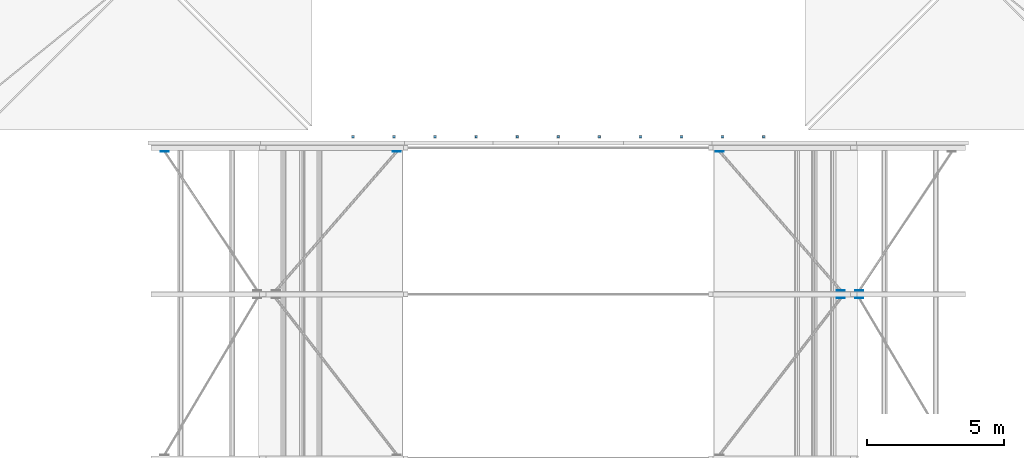
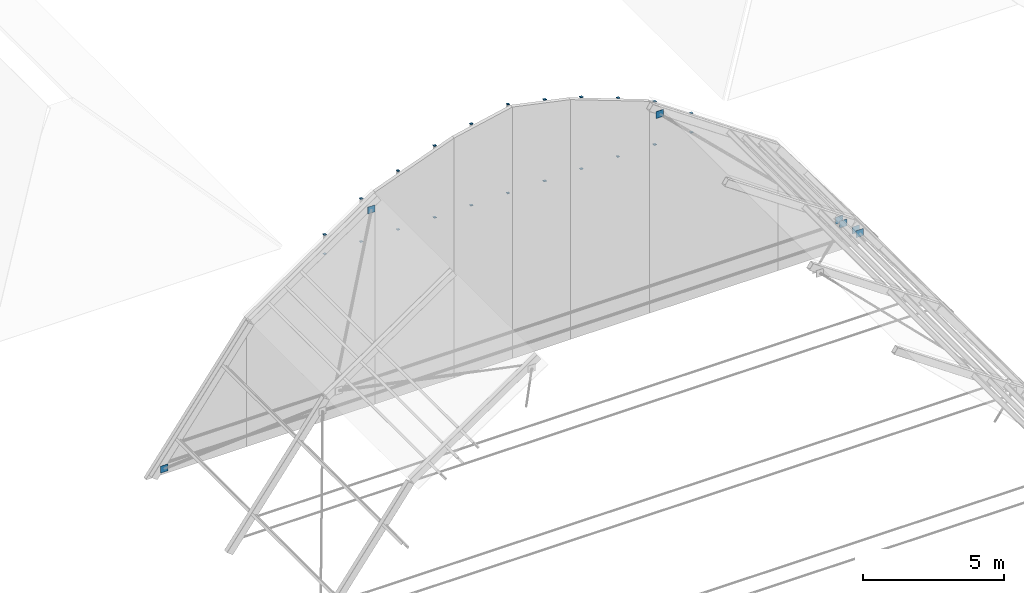
# One storey, part 34 of 43: 29 discrete accessories.
"""IFC4 building model written with IfcOpenShell, lengths in metres."""

from ifc_helpers import new_model, si_unit, direction, frame, origin, origin_2d, place, context, subcontext, project, spatial, rectangle, extrude, material, material_profile, profile_set, type_object, element, save


model = new_model("IFC4")

# Units and contexts
model_context = context("Model", 3, precision=1e-05, world=origin(), true_north=direction((0.0, 1.0)))
body_context = subcontext(model_context, "Body", "Model", "MODEL_VIEW")
ifc_project = project(units=[si_unit("LENGTHUNIT", "METRE"), si_unit("AREAUNIT", "SQUARE_METRE"), si_unit("VOLUMEUNIT", "CUBIC_METRE"), si_unit("PLANEANGLEUNIT", "RADIAN"), si_unit("MASSUNIT", "GRAM", prefix="KILO")], contexts=[model_context])

# Site, building, storey
site_placement = place(None, origin())
site = spatial("IfcSite", under=ifc_project, at=site_placement, CompositionType="ELEMENT")
building_placement = place(site_placement, origin())
building = spatial("IfcBuilding", under=site, at=building_placement, Name="Saffron Lane Theatres", CompositionType="ELEMENT")
storey_placement = place(building_placement, frame((0.0, 0.0, 23.0)))
storey = spatial("IfcBuildingStorey", under=building, at=storey_placement, Name="Roof", CompositionType="ELEMENT", Elevation=23.0)

# Discrete accessories
ifc_material_1 = material(Name="Steel Grade 350", Category="steel")
ifc_material_profile_1 = material_profile(ifc_material_1, rectangle(XDim=0.300048828125, YDim=0.300048828125, at=origin_2d()))
ifc_profile_set_1 = profile_set([ifc_material_profile_1], Name="Steel Grade 350")
discrete_accessory_type_1 = type_object("IfcDiscreteAccessoryType", Name="ST-GUSSET CONNECTION PLATE", PredefinedType="BRACKET", material=ifc_profile_set_1)
for number, where, z_axis, x_axis, name in (
    (1, (43.316650390625, 83.86962890625, 3.62451171875), (0.0, -1.0, 0.0), (1.0, 0.0, 0.0), "GB78"),
    (2, (43.988037109375, 83.86865234375, 2.976318359375), (0.0, -1.0, 0.0), (1.0, 0.0, 0.0), "GB79"),
    (3, (18.627685546875, 89.216796875, -1.570556640625), (0.0, -1.0, 0.0), (1.0, 0.0, 0.0), "GB81"),
    (4, (27.099609375, 89.2177734375, 6.6669921875), (0.0, -1.0, 0.0), (1.0, 0.0, 0.0), "GB84"),
    (5, (38.900390625, 89.2177734375, 6.6669921875), (0.0, -1.0, 0.0), (1.0, 0.0, 0.0), "GB93"),
    (6, (43.31103515625, 84.13232421875, 3.62841796875), (0.0, 1.0, 0.0), (-1.0, 0.0, 0.0), "GB94"),
    (7, (43.992431640625, 84.133056640625, 2.970703125), (0.0, 1.0, 0.0), (-1.0, 0.0, 0.0), "GB95"),
):
    element("IfcDiscreteAccessory", number, at=place(storey_placement, frame(where, z_axis=z_axis, x_axis=x_axis)), inside=storey, type_object=discrete_accessory_type_1, Name=name, PredefinedType="BRACKET", context=body_context, shape_type="SweptSolid", body=[
        extrude(rectangle(XDim=0.300048828125, YDim=0.300048828125, at=origin_2d()), origin(), (0.0, 0.0, 1.0), 0.010009765625),
    ])
ifc_material_2 = material(Name="Steel Grade 350", Category="steel")
ifc_material_profile_2 = material_profile(ifc_material_2, rectangle(XDim=0.10009765625, YDim=0.10009765625, at=origin_2d()))
ifc_profile_set_2 = profile_set([ifc_material_profile_2], Name="Steel Grade 350")
discrete_accessory_type_2 = type_object("IfcDiscreteAccessoryType", Name="ST-STEEL END CAP 100x100x6 SHS", PredefinedType="ANCHORPLATE", material=ifc_profile_set_2)
for number, where, z_axis, x_axis, name in (
    (8, (25.5, 89.75, 4.988037109375), (0.0, 0.0, 1.0), (1.0, 0.0, 0.0), "EC1"),
    (9, (25.5, 89.75, 5.818603515625), (0.0, 0.0, 1.0), (1.0, 0.0, 0.0), "EC2"),
    (10, (27.0, 89.75, 4.988037109375), (0.0, 0.0, 1.0), (1.0, 0.0, 0.0), "EC3"),
    (11, (27.0, 89.75, 6.85205078125), (0.0, 0.0, 1.0), (1.0, 0.0, 0.0), "EC4"),
    (12, (28.5, 89.75, 4.988037109375), (0.0, 0.0, 1.0), (1.0, 0.0, 0.0), "EC5"),
):
    element("IfcDiscreteAccessory", number, at=place(storey_placement, frame(where, z_axis=z_axis, x_axis=x_axis)), inside=storey, type_object=discrete_accessory_type_2, Name=name, PredefinedType="ANCHORPLATE", context=body_context, shape_type="SweptSolid", body=[
        extrude(rectangle(XDim=0.10009765625, YDim=0.10009765625, at=origin_2d()), origin(), (0.0, 0.0, 1.0), 0.011962890625),
    ])
discrete_accessory_1_placement = place(storey_placement, frame((28.5, 89.75, 7.53173828125), z_axis=(0.0, 0.0, 1.0), x_axis=(1.0, 0.0, 0.0)))
element("IfcDiscreteAccessory", 13, at=discrete_accessory_1_placement, inside=storey, type_object=discrete_accessory_type_2, Name="EC6", PredefinedType="ANCHORPLATE", context=body_context, shape_type="SweptSolid", body=[
    extrude(rectangle(XDim=0.10009765625, YDim=0.10009765625, at=origin_2d()), origin(), (0.0, 0.0, 1.0), 0.01220703125),
])
for number, where, z_axis, x_axis, name in (
    (14, (30.0, 89.75, 4.988037109375), (0.0, 0.0, 1.0), (1.0, 0.0, 0.0), "EC7"),
    (15, (30.0, 89.75, 8.091552734375), (0.0, 0.0, 1.0), (1.0, 0.0, 0.0), "EC8"),
    (16, (31.5, 89.75, 4.988037109375), (0.0, 0.0, 1.0), (1.0, 0.0, 0.0), "EC9"),
):
    element("IfcDiscreteAccessory", number, at=place(storey_placement, frame(where, z_axis=z_axis, x_axis=x_axis)), inside=storey, type_object=discrete_accessory_type_2, Name=name, PredefinedType="ANCHORPLATE", context=body_context, shape_type="SweptSolid", body=[
        extrude(rectangle(XDim=0.10009765625, YDim=0.10009765625, at=origin_2d()), origin(), (0.0, 0.0, 1.0), 0.011962890625),
    ])
discrete_accessory_2_placement = place(storey_placement, frame((31.5, 89.75, 8.511962890625), z_axis=(0.0, 0.0, 1.0), x_axis=(1.0, 0.0, 0.0)))
element("IfcDiscreteAccessory", 17, at=discrete_accessory_2_placement, inside=storey, type_object=discrete_accessory_type_2, Name="EC10", PredefinedType="ANCHORPLATE", context=body_context, shape_type="SweptSolid", body=[
    extrude(rectangle(XDim=0.10009765625, YDim=0.10009765625, at=origin_2d()), origin(), (0.0, 0.0, 1.0), 0.01220703125),
])
for number, where, z_axis, x_axis, name in (
    (18, (33.0, 89.75, 4.988037109375), (0.0, 0.0, 1.0), (1.0, 0.0, 0.0), "EC11"),
    (19, (33.0, 89.75, 8.83349609375), (0.0, 0.0, 1.0), (1.0, 0.0, 0.0), "EC12"),
    (20, (34.5, 89.75, 4.988037109375), (0.0, 0.0, 1.0), (1.0, 0.0, 0.0), "EC13"),
):
    element("IfcDiscreteAccessory", number, at=place(storey_placement, frame(where, z_axis=z_axis, x_axis=x_axis)), inside=storey, type_object=discrete_accessory_type_2, Name=name, PredefinedType="ANCHORPLATE", context=body_context, shape_type="SweptSolid", body=[
        extrude(rectangle(XDim=0.10009765625, YDim=0.10009765625, at=origin_2d()), origin(), (0.0, 0.0, 1.0), 0.011962890625),
    ])
discrete_accessory_3_placement = place(storey_placement, frame((34.5, 89.75, 8.511962890625), z_axis=(0.0, 0.0, 1.0), x_axis=(1.0, 0.0, 0.0)))
element("IfcDiscreteAccessory", 21, at=discrete_accessory_3_placement, inside=storey, type_object=discrete_accessory_type_2, Name="EC14", PredefinedType="ANCHORPLATE", context=body_context, shape_type="SweptSolid", body=[
    extrude(rectangle(XDim=0.10009765625, YDim=0.10009765625, at=origin_2d()), origin(), (0.0, 0.0, 1.0), 0.01220703125),
])
for number, where, z_axis, x_axis, name in (
    (22, (36.0, 89.75, 4.988037109375), (0.0, 0.0, 1.0), (1.0, 0.0, 0.0), "EC15"),
    (23, (36.0, 89.75, 8.091552734375), (0.0, 0.0, 1.0), (1.0, 0.0, 0.0), "EC16"),
    (24, (37.5, 89.75, 4.988037109375), (0.0, 0.0, 1.0), (1.0, 0.0, 0.0), "EC17"),
):
    element("IfcDiscreteAccessory", number, at=place(storey_placement, frame(where, z_axis=z_axis, x_axis=x_axis)), inside=storey, type_object=discrete_accessory_type_2, Name=name, PredefinedType="ANCHORPLATE", context=body_context, shape_type="SweptSolid", body=[
        extrude(rectangle(XDim=0.10009765625, YDim=0.10009765625, at=origin_2d()), origin(), (0.0, 0.0, 1.0), 0.011962890625),
    ])
discrete_accessory_4_placement = place(storey_placement, frame((37.5, 89.75, 7.53173828125), z_axis=(0.0, 0.0, 1.0), x_axis=(1.0, 0.0, 0.0)))
element("IfcDiscreteAccessory", 25, at=discrete_accessory_4_placement, inside=storey, type_object=discrete_accessory_type_2, Name="EC18", PredefinedType="ANCHORPLATE", context=body_context, shape_type="SweptSolid", body=[
    extrude(rectangle(XDim=0.10009765625, YDim=0.10009765625, at=origin_2d()), origin(), (0.0, 0.0, 1.0), 0.01220703125),
])
for number, where, z_axis, x_axis, name in (
    (26, (39.0, 89.75, 4.988037109375), (0.0, 0.0, 1.0), (1.0, 0.0, 0.0), "EC19"),
    (27, (39.0, 89.75, 6.85205078125), (0.0, 0.0, 1.0), (1.0, 0.0, 0.0), "EC20"),
    (28, (40.5, 89.75, 4.988037109375), (0.0, 0.0, 1.0), (1.0, 0.0, 0.0), "EC21"),
    (29, (40.5, 89.75, 5.818603515625), (0.0, 0.0, 1.0), (1.0, 0.0, 0.0), "EC22"),
):
    element("IfcDiscreteAccessory", number, at=place(storey_placement, frame(where, z_axis=z_axis, x_axis=x_axis)), inside=storey, type_object=discrete_accessory_type_2, Name=name, PredefinedType="ANCHORPLATE", context=body_context, shape_type="SweptSolid", body=[
        extrude(rectangle(XDim=0.10009765625, YDim=0.10009765625, at=origin_2d()), origin(), (0.0, 0.0, 1.0), 0.011962890625),
    ])

save(model, "model.ifc")
